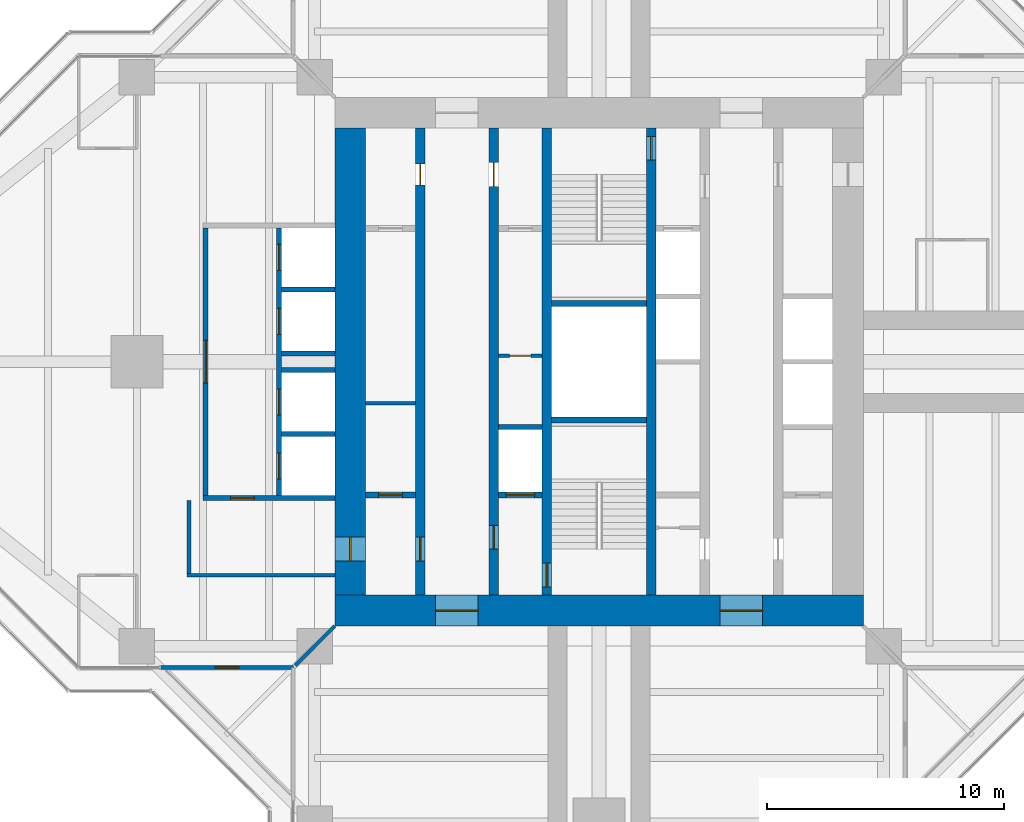
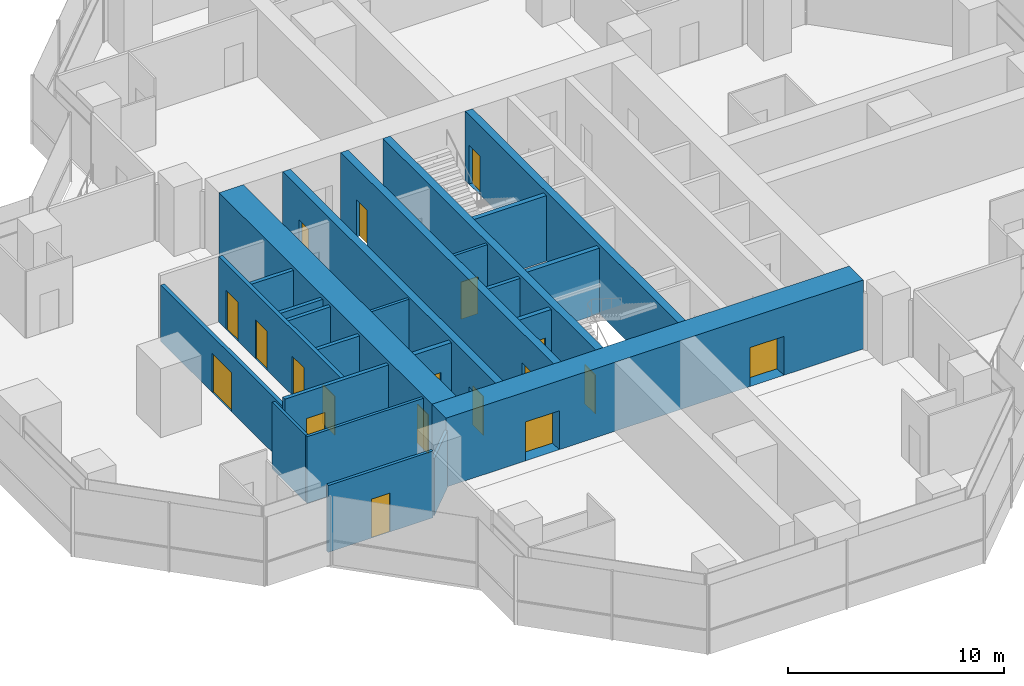
# One storey, part 13 of 17: 24 walls, 19 doors, 19 openings.
"""IFC4 building model written with IfcOpenShell, lengths in metres."""

import ifcopenshell
import ifcopenshell.guid

model = None  # the IFC model being written
_history = None  # IfcOwnerHistory: only IFC2X3 demands one
_inside = {}  # id of a spatial element -> (the spatial element, [elements in it])
_under = {}  # id of a project, library or spatial element -> (it, [spatial elements below it])
_declared = {}  # id of a project -> (the project, [libraries it declares])
_typed = {}  # id of a type object -> (the type object, [elements of that type])
_made_of = {}  # id of a material, layer set ... -> (it, [elements and type objects made of it])


def new_model(schema):
    """Start an empty IFC model of exactly this schema.

    Asked for "IFC4X3", IfcOpenShell would pick the latest addendum, in which some entities
    have other attributes; the version numbers below select the first issue.
    IFC2X3 requires an IfcOwnerHistory on every rooted entity: one is made here for all.
    """
    global model, _history
    if schema == "IFC4X3":
        model = ifcopenshell.file(schema_version=(4, 3, 0, 0))
    else:
        model = ifcopenshell.file(schema=schema)
    _inside.clear()
    _under.clear()
    _declared.clear()
    _typed.clear()
    _made_of.clear()
    _history = None
    if model.schema == "IFC2X3":
        org = make("IfcOrganization", Name="unknown")
        user = make(
            "IfcPersonAndOrganization",
            ThePerson=make("IfcPerson", FamilyName="unknown"),
            TheOrganization=org,
        )
        app = make(
            "IfcApplication",
            ApplicationDeveloper=org,
            Version="unknown",
            ApplicationFullName="unknown",
            ApplicationIdentifier="unknown",
        )
        _history = make(
            "IfcOwnerHistory",
            OwningUser=user,
            OwningApplication=app,
            ChangeAction="ADDED",
            CreationDate=0,
        )
    return model


def make(cls, **values):
    """One entity of the class cls with the attributes given. An attribute that is None is left unset."""
    return model.create_entity(
        cls, **{name: value for name, value in values.items() if value is not None}
    )


def rooted(cls, **values):
    """An entity with a GlobalId (a new one), such as an element, a storey or a relation."""
    return make(cls, GlobalId=ifcopenshell.guid.new(), OwnerHistory=_history, **values)


def si_unit(unit_type, name, prefix=None):
    """IfcSIUnit, for example si_unit("LENGTHUNIT", "METRE", prefix="MILLI")."""
    return make("IfcSIUnit", UnitType=unit_type, Prefix=prefix, Name=name)


def assignment(units):
    """IfcUnitAssignment: the units of a project."""
    return None if units is None else make("IfcUnitAssignment", Units=units)


def point(xyz):
    """IfcCartesianPoint."""
    return None if xyz is None else make("IfcCartesianPoint", Coordinates=xyz)


def direction(xyz):
    """IfcDirection."""
    return None if xyz is None else make("IfcDirection", DirectionRatios=xyz)


def frame(location, z_axis=None, x_axis=None):
    """IfcAxis2Placement3D, a coordinate frame: its origin and axes. An axis left out is left unset."""
    return make(
        "IfcAxis2Placement3D",
        Location=point(location),
        Axis=direction(z_axis),
        RefDirection=direction(x_axis),
    )


def frame_2d(location, x_axis=None):
    """IfcAxis2Placement2D, a coordinate frame in the plane: its origin and x axis."""
    return make(
        "IfcAxis2Placement2D", Location=point(location), RefDirection=direction(x_axis)
    )


def origin():
    """The frame at (0, 0, 0) with its axes left unset."""
    return frame((0.0, 0.0, 0.0))


def place(relative_to, where):
    """IfcLocalPlacement: puts the frame where relative to a parent placement (None: the world)."""
    return make(
        "IfcLocalPlacement", PlacementRelTo=relative_to, RelativePlacement=where
    )


def context(
    kind, dimensions, precision=None, world=None, true_north=None, identifier=None
):
    """IfcGeometricRepresentationContext, for example the 3D "Model" context."""
    return make(
        "IfcGeometricRepresentationContext",
        ContextIdentifier=identifier,
        ContextType=kind,
        CoordinateSpaceDimension=dimensions,
        Precision=precision,
        WorldCoordinateSystem=world,
        TrueNorth=true_north,
    )


def subcontext(parent, identifier, kind, view, scale=None):
    """IfcGeometricRepresentationSubContext, for example "Body" below "Model"."""
    return make(
        "IfcGeometricRepresentationSubContext",
        ContextIdentifier=identifier,
        ContextType=kind,
        ParentContext=parent,
        TargetScale=scale,
        TargetView=view,
    )


def project(units=None, contexts=None):
    """IfcProject with its units and contexts."""
    return rooted(
        "IfcProject",
        Name="project",
        RepresentationContexts=contexts,
        UnitsInContext=assignment(units),
    )


def spatial(cls, under=None, at=None, **own):
    """A site, building, storey or space (cls), placed at a placement, below another one or the project."""
    s = rooted(cls, ObjectPlacement=at, **own)
    if under is not None:
        _under.setdefault(under.id(), (under, []))[1].append(s)
    return s


def profile(cls, at=None, kind="AREA", **sizes):
    """A parametric profile (cls). Its sizes go by their IFC names, for example OverallWidth=200.0."""
    return make(cls, ProfileType=kind, Position=at, **sizes)


def rectangle(**sizes):
    """IfcRectangleProfileDef."""
    return profile("IfcRectangleProfileDef", **sizes)


def extrude(swept, where, along, depth):
    """IfcExtrudedAreaSolid: the profile swept, set in the frame where, extruded along a direction by depth."""
    return make(
        "IfcExtrudedAreaSolid",
        SweptArea=swept,
        Position=where,
        ExtrudedDirection=direction(along),
        Depth=depth,
    )


def shape(context_of_items, identifier, shape_type, items):
    """IfcShapeRepresentation: the items that make up one representation, for example the "Body"."""
    return make(
        "IfcShapeRepresentation",
        ContextOfItems=context_of_items,
        RepresentationIdentifier=identifier,
        RepresentationType=shape_type,
        Items=items,
    )


def material(Name=None, Category=None):
    """IfcMaterial."""
    return make("IfcMaterial", Name=Name, Category=Category)


def layer(
    of_material, thickness, ventilated=None, Name=None, Category=None, Priority=None
):
    """IfcMaterialLayer: one layer of a wall or slab, of a material (None: an air gap)."""
    return make(
        "IfcMaterialLayer",
        Material=of_material,
        LayerThickness=thickness,
        IsVentilated=ventilated,
        Name=Name,
        Category=Category,
        Priority=Priority,
    )


def layer_set(layers, Name=None):
    """IfcMaterialLayerSet."""
    return make("IfcMaterialLayerSet", MaterialLayers=layers, LayerSetName=Name)


def made_of(thing, what):
    """Note that an element or type object is made of a material, layer set ...; save() writes the relation."""
    if what is not None:
        _made_of.setdefault(what.id(), (what, []))[1].append(thing)
    return thing


def type_object(cls, material=None, **own):
    """A type object (cls), such as IfcWallType, which elements share."""
    return made_of(rooted(cls, **own), material)


def element(
    cls,
    number,
    at=None,
    inside=None,
    cuts=None,
    type_object=None,
    material=None,
    context=None,
    identifier="Body",
    shape_type=None,
    held_by="IfcProductDefinitionShape",
    body=None,
    shapes=None,
    **own,
):
    """One element of the class cls, such as IfcWall. Its Tag is "e" and its number.

    at: its placement. inside: the storey or other place that contains it. cuts: it is an
    opening in that element (IfcRelVoidsElement). A single representation is given by context,
    identifier, shape_type and body (its items); several are given by shapes. held_by: the class
    of the entity that holds the representations. save() writes the other relations.
    """
    e = rooted(cls, Tag="e%d" % number, ObjectPlacement=at, **own)
    if body is not None:
        shapes = [shape(context, identifier, shape_type, body)]
    if shapes is not None:
        e.Representation = make(held_by, Representations=shapes)
    if inside is not None:
        _inside.setdefault(inside.id(), (inside, []))[1].append(e)
    if cuts is not None:
        rooted(
            "IfcRelVoidsElement", RelatingBuildingElement=cuts, RelatedOpeningElement=e
        )
    if type_object is not None:
        _typed.setdefault(type_object.id(), (type_object, []))[1].append(e)
    return made_of(e, material)


def fill(opening, filler):
    """IfcRelFillsElement: the door or window that sits in an opening."""
    return rooted(
        "IfcRelFillsElement",
        RelatingOpeningElement=opening,
        RelatedBuildingElement=filler,
    )


def aggregate(whole, parts):
    """IfcRelAggregates: a whole, such as a stair, and the parts it consists of."""
    return rooted("IfcRelAggregates", RelatingObject=whole, RelatedObjects=parts)


def save(model, path):
    """Write the relations noted so far, then the file.

    IfcRelAggregates (storeys below a building ...), IfcRelContainedInSpatialStructure (elements
    in a storey), IfcRelDefinesByType, IfcRelAssociatesMaterial and IfcRelDeclares: one each for
    every whole, place, type object, material and project.
    """
    for whole, parts in _under.values():
        aggregate(whole, parts)
    for where, things in _inside.values():
        rooted(
            "IfcRelContainedInSpatialStructure",
            RelatedElements=things,
            RelatingStructure=where,
        )
    for kind, things in _typed.values():
        rooted("IfcRelDefinesByType", RelatedObjects=things, RelatingType=kind)
    for what, things in _made_of.values():
        rooted("IfcRelAssociatesMaterial", RelatedObjects=things, RelatingMaterial=what)
    for by, libraries in _declared.values():
        rooted("IfcRelDeclares", RelatingContext=by, RelatedDefinitions=libraries)
    model.write(path)


model = new_model("IFC4")

# Units and contexts
model_context = context("Model", 3, precision=1e-05, world=origin(), true_north=direction((0.0, 1.0)))
body_context = subcontext(model_context, "Body", "Model", "MODEL_VIEW")
ifc_project = project(units=[si_unit("LENGTHUNIT", "METRE"), si_unit("AREAUNIT", "SQUARE_METRE"), si_unit("VOLUMEUNIT", "CUBIC_METRE"), si_unit("PLANEANGLEUNIT", "RADIAN"), si_unit("MASSUNIT", "GRAM", prefix="KILO")], contexts=[model_context])

# Site, building, storey
site_placement = place(None, origin())
site = spatial("IfcSite", under=ifc_project, at=site_placement, CompositionType="ELEMENT")
building_placement = place(site_placement, origin())
building = spatial("IfcBuilding", under=site, at=building_placement, Name="Mizan Broadcast Tower", CompositionType="ELEMENT")
storey_placement = place(building_placement, frame((0.0, 0.0, 259.5)))
storey = spatial("IfcBuildingStorey", under=building, at=storey_placement, Name="L61", CompositionType="ELEMENT", Elevation=259.5)

# Wall, openings, doors
ifc_material_1 = material(Name="Concrete C70/85", Category="concrete")
ifc_layer_1 = layer(ifc_material_1, 0.39990234375)
ifc_layer_set_1 = layer_set([ifc_layer_1], Name="Concrete C70/85")
wall_type_1 = type_object("IfcWallType", Name="CORE INTERNAL WALL 400", PredefinedType="SHEAR", material=ifc_layer_set_1)
wall_1_placement = place(storey_placement, frame((-7.550048828125, -9.85009765625, 0.0), z_axis=(0.0, 0.0, 1.0), x_axis=(0.0, 1.0, 0.0)))
wall_1 = element("IfcWall", 1, at=wall_1_placement, inside=storey, type_object=wall_type_1, Name="Core wall CORE/XW1", PredefinedType="SHEAR", context=body_context, shape_type="SweptSolid", body=[
    extrude(rectangle(XDim=19.7001953125, YDim=0.39990234375, at=frame_2d((9.85009765625, 0.0))), origin(), (0.0, 0.0, 1.0), 3.89990234375),
])
opening_1_placement = place(wall_1_placement, frame((1.449951171875, 0.0, 0.0)))
opening_1 = element("IfcOpeningElement", 2, at=opening_1_placement, cuts=wall_1, Name="Opening D10F", PredefinedType="OPENING", context=body_context, shape_type="SweptSolid", body=[
    extrude(rectangle(XDim=1.0, YDim=2.199951171875, at=frame_2d((0.5, 1.10009765625))), frame((0.0, 0.2099609375, 0.0), z_axis=(0.0, -1.0, 0.0), x_axis=(1.0, 0.0, 0.0)), (0.0, 0.0, 1.0), 0.419921875),
])
opening_2_placement = place(wall_1_placement, frame((17.300048828125, 0.0, 0.0)))
opening_2 = element("IfcOpeningElement", 3, at=opening_2_placement, cuts=wall_1, Name="Opening D09", PredefinedType="OPENING", context=body_context, shape_type="SweptSolid", body=[
    extrude(rectangle(XDim=0.89990234375, YDim=2.10009765625, at=frame_2d((0.449951171875, 1.050048828125))), frame((0.0, 0.2099609375, 0.0), z_axis=(0.0, -1.0, 0.0), x_axis=(1.0, 0.0, 0.0)), (0.0, 0.0, 1.0), 0.419921875),
])
ifc_material_2 = material(Name="Steel door leaf in steel frame", Category="steel")
door_type_1 = type_object("IfcDoorType", Name="FIRE DOOR 1000 FD90", OperationType="SINGLE_SWING_LEFT", PredefinedType="DOOR", material=ifc_material_2)
door_1_placement = place(opening_1_placement, origin())
door_1 = element("IfcDoor", 4, at=door_1_placement, inside=storey, type_object=door_type_1, Name="West core passage door", OperationType="SINGLE_SWING_LEFT", OverallHeight=2.199951171875, OverallWidth=1.0, PredefinedType="DOOR", context=body_context, shape_type="SweptSolid", body=[
    extrude(rectangle(XDim=1.0, YDim=2.199951171875, at=frame_2d((0.5, 1.10009765625))), frame((0.0, 0.02490234375, 0.0), z_axis=(0.0, -1.0, 0.0), x_axis=(1.0, 0.0, 0.0)), (0.0, 0.0, 1.0), 0.050048828125),
])
fill(opening_1, door_1)
ifc_material_3 = material(Name="Timber door leaf in aluminium frame", Category="wood")
door_type_2 = type_object("IfcDoorType", Name="TOILET DOOR 900", OperationType="SINGLE_SWING_LEFT", PredefinedType="DOOR", material=ifc_material_3)
door_2_placement = place(opening_2_placement, origin())
door_2 = element("IfcDoor", 5, at=door_2_placement, inside=storey, type_object=door_type_2, Name="Male WC door", OperationType="SINGLE_SWING_RIGHT", OverallHeight=2.10009765625, OverallWidth=0.89990234375, PredefinedType="DOOR", context=body_context, shape_type="SweptSolid", body=[
    extrude(rectangle(XDim=0.89990234375, YDim=2.10009765625, at=frame_2d((0.449951171875, 1.050048828125))), frame((0.0, 0.02490234375, 0.0), z_axis=(0.0, -1.0, 0.0), x_axis=(1.0, 0.0, 0.0)), (0.0, 0.0, 1.0), 0.050048828125),
])
fill(opening_2, door_2)

wall_2_placement = place(storey_placement, frame((-4.449951171875, -9.85009765625, 0.0), z_axis=(0.0, 0.0, 1.0), x_axis=(0.0, 1.0, 0.0)))
wall_2 = element("IfcWall", 6, at=wall_2_placement, inside=storey, type_object=wall_type_1, Name="Core wall CORE/XWH", PredefinedType="SHEAR", context=body_context, shape_type="SweptSolid", body=[
    extrude(rectangle(XDim=19.7001953125, YDim=0.39990234375, at=frame_2d((9.85009765625, 0.0))), origin(), (0.0, 0.0, 1.0), 3.89990234375),
])
opening_3_placement = place(wall_2_placement, frame((1.949951171875, 0.0, 0.0)))
opening_3 = element("IfcOpeningElement", 7, at=opening_3_placement, cuts=wall_2, Name="Opening D10F", PredefinedType="OPENING", context=body_context, shape_type="SweptSolid", body=[
    extrude(rectangle(XDim=1.0, YDim=2.199951171875, at=frame_2d((0.5, 1.10009765625))), frame((0.0, 0.2099609375, 0.0), z_axis=(0.0, -1.0, 0.0), x_axis=(1.0, 0.0, 0.0)), (0.0, 0.0, 1.0), 0.419921875),
])
opening_4_placement = place(wall_2_placement, frame((17.25, 0.0, 0.0)))
opening_4 = element("IfcOpeningElement", 8, at=opening_4_placement, cuts=wall_2, Name="Opening D10A", PredefinedType="OPENING", context=body_context, shape_type="SweptSolid", body=[
    extrude(rectangle(XDim=1.0, YDim=2.10009765625, at=frame_2d((0.5, 1.050048828125))), frame((0.0, 0.2099609375, 0.0), z_axis=(0.0, -1.0, 0.0), x_axis=(1.0, 0.0, 0.0)), (0.0, 0.0, 1.0), 0.419921875),
])
ifc_material_4 = material(Name="Timber door leaf in aluminium frame", Category="wood")
door_type_3 = type_object("IfcDoorType", Name="ACCESSIBLE WC DOOR 1000", OperationType="SLIDING_TO_LEFT", PredefinedType="DOOR", material=ifc_material_4)
door_3_placement = place(opening_4_placement, origin())
door_3 = element("IfcDoor", 9, at=door_3_placement, inside=storey, type_object=door_type_3, Name="Accessible WC door", OperationType="SLIDING_TO_LEFT", OverallHeight=2.10009765625, OverallWidth=1.0, PredefinedType="DOOR", context=body_context, shape_type="SweptSolid", body=[
    extrude(rectangle(XDim=1.0, YDim=2.10009765625, at=frame_2d((0.5, 1.050048828125))), frame((0.0, 0.02490234375, 0.0), z_axis=(0.0, -1.0, 0.0), x_axis=(1.0, 0.0, 0.0)), (0.0, 0.0, 1.0), 0.050048828125),
])
fill(opening_4, door_3)
door_4_placement = place(opening_3_placement, origin())
door_4 = element("IfcDoor", 10, at=door_4_placement, inside=storey, type_object=door_type_1, Name="Firefighting lobby A door", OperationType="SINGLE_SWING_LEFT", OverallHeight=2.199951171875, OverallWidth=1.0, PredefinedType="DOOR", context=body_context, shape_type="SweptSolid", body=[
    extrude(rectangle(XDim=1.0, YDim=2.199951171875, at=frame_2d((0.5, 1.10009765625))), frame((0.0, 0.02490234375, 0.0), z_axis=(0.0, -1.0, 0.0), x_axis=(1.0, 0.0, 0.0)), (0.0, 0.0, 1.0), 0.050048828125),
])
fill(opening_3, door_4)

# Wall, opening, door
wall_3_placement = place(storey_placement, frame((-2.199951171875, -9.85009765625, 0.0), z_axis=(0.0, 0.0, 1.0), x_axis=(0.0, 1.0, 0.0)))
wall_3 = element("IfcWall", 11, at=wall_3_placement, inside=storey, type_object=wall_type_1, Name="Core wall CORE/XW2", PredefinedType="SHEAR", context=body_context, shape_type="SweptSolid", body=[
    extrude(rectangle(XDim=19.7001953125, YDim=0.39990234375, at=frame_2d((9.85009765625, 0.0))), origin(), (0.0, 0.0, 1.0), 3.89990234375),
])
opening_5_placement = place(wall_3_placement, frame((0.35009765625, 0.0, 0.0)))
opening_5 = element("IfcOpeningElement", 12, at=opening_5_placement, cuts=wall_3, Name="Opening D10S", PredefinedType="OPENING", context=body_context, shape_type="SweptSolid", body=[
    extrude(rectangle(XDim=1.0, YDim=2.199951171875, at=frame_2d((0.5, 1.10009765625))), frame((0.0, 0.2099609375, 0.0), z_axis=(0.0, -1.0, 0.0), x_axis=(1.0, 0.0, 0.0)), (0.0, 0.0, 1.0), 0.419921875),
])
ifc_material_5 = material(Name="Steel door leaf in steel frame", Category="steel")
door_type_4 = type_object("IfcDoorType", Name="STAIR DOOR 1000 FD90S", OperationType="SINGLE_SWING_RIGHT", PredefinedType="DOOR", material=ifc_material_5)
door_5_placement = place(opening_5_placement, origin())
door_5 = element("IfcDoor", 13, at=door_5_placement, inside=storey, type_object=door_type_4, Name="Stair A door", OperationType="SINGLE_SWING_RIGHT", OverallHeight=2.199951171875, OverallWidth=1.0, PredefinedType="DOOR", context=body_context, shape_type="SweptSolid", body=[
    extrude(rectangle(XDim=1.0, YDim=2.199951171875, at=frame_2d((0.5, 1.10009765625))), frame((0.0, 0.02490234375, 0.0), z_axis=(0.0, -1.0, 0.0), x_axis=(1.0, 0.0, 0.0)), (0.0, 0.0, 1.0), 0.050048828125),
])
fill(opening_5, door_5)

wall_4_placement = place(storey_placement, frame((2.199951171875, 9.85009765625, 0.0), z_axis=(0.0, 0.0, 1.0), x_axis=(0.0, -1.0, 0.0)))
wall_4 = element("IfcWall", 14, at=wall_4_placement, inside=storey, type_object=wall_type_1, Name="Core wall CORE/XW2E", PredefinedType="SHEAR", context=body_context, shape_type="SweptSolid", body=[
    extrude(rectangle(XDim=19.7001953125, YDim=0.39990234375, at=frame_2d((9.85009765625, 0.0))), origin(), (0.0, 0.0, 1.0), 3.89990234375),
])
opening_6_placement = place(wall_4_placement, frame((0.35009765625, 0.0, 0.0)))
opening_6 = element("IfcOpeningElement", 15, at=opening_6_placement, cuts=wall_4, Name="Opening D10S", PredefinedType="OPENING", context=body_context, shape_type="SweptSolid", body=[
    extrude(rectangle(XDim=1.0, YDim=2.199951171875, at=frame_2d((0.5, 1.10009765625))), frame((0.0, 0.2099609375, 0.0), z_axis=(0.0, -1.0, 0.0), x_axis=(1.0, 0.0, 0.0)), (0.0, 0.0, 1.0), 0.419921875),
])
door_6_placement = place(opening_6_placement, origin())
door_6 = element("IfcDoor", 16, at=door_6_placement, inside=storey, type_object=door_type_4, Name="Stair B door", OperationType="SINGLE_SWING_RIGHT", OverallHeight=2.199951171875, OverallWidth=1.0, PredefinedType="DOOR", context=body_context, shape_type="SweptSolid", body=[
    extrude(rectangle(XDim=1.0, YDim=2.199951171875, at=frame_2d((0.5, 1.10009765625))), frame((0.0, 0.02490234375, 0.0), z_axis=(0.0, -1.0, 0.0), x_axis=(1.0, 0.0, 0.0)), (0.0, 0.0, 1.0), 0.050048828125),
])
fill(opening_6, door_6)

# Wall
ifc_material_6 = material(Name="Concrete blockwork", Category="masonry")
ifc_layer_2 = layer(ifc_material_6, 0.14990234375)
ifc_layer_set_2 = layer_set([ifc_layer_2], Name="Concrete blockwork")
wall_type_2 = type_object("IfcWallType", Name="CORE PARTITION 150", PredefinedType="SOLIDWALL", material=ifc_layer_set_2)
wall_5_placement = place(storey_placement, frame((-9.85009765625, -1.75, 0.0), z_axis=(0.0, 0.0, 1.0), x_axis=(1.0, 0.0, 0.0)))
element("IfcWall", 17, at=wall_5_placement, inside=storey, type_object=wall_type_2, Name="Core partition CORE/XP1", PredefinedType="SOLIDWALL", context=body_context, shape_type="SweptSolid", body=[
    extrude(rectangle(XDim=2.10009765625, YDim=0.14990234375, at=frame_2d((1.050048828125, 0.0))), origin(), (0.0, 0.0, 1.0), 3.77001953125),
])

# Wall, opening, door
wall_6_placement = place(storey_placement, frame((-4.25, 0.25, 0.0), z_axis=(0.0, 0.0, 1.0), x_axis=(1.0, 0.0, 0.0)))
wall_6 = element("IfcWall", 18, at=wall_6_placement, inside=storey, type_object=wall_type_2, Name="Core partition CORE/XP2", PredefinedType="SOLIDWALL", context=body_context, shape_type="SweptSolid", body=[
    extrude(rectangle(XDim=1.85009765625, YDim=0.14990234375, at=frame_2d((0.925048828125, 0.0))), origin(), (0.0, 0.0, 1.0), 3.77001953125),
])
opening_7_placement = place(wall_6_placement, frame((0.47509765625, 0.0, 0.0)))
opening_7 = element("IfcOpeningElement", 19, at=opening_7_placement, cuts=wall_6, Name="Opening D09F", PredefinedType="OPENING", context=body_context, shape_type="SweptSolid", body=[
    extrude(rectangle(XDim=0.89990234375, YDim=2.10009765625, at=frame_2d((0.449951171875, 1.050048828125))), frame((0.0, 0.0849609375, 0.0), z_axis=(0.0, -1.0, 0.0), x_axis=(1.0, 0.0, 0.0)), (0.0, 0.0, 1.0), 0.169921875),
])
ifc_material_7 = material(Name="Steel door leaf in steel frame", Category="steel")
door_type_5 = type_object("IfcDoorType", Name="CORE ROOM DOOR 900 FD90", OperationType="SINGLE_SWING_LEFT", PredefinedType="DOOR", material=ifc_material_7)
door_7_placement = place(opening_7_placement, origin())
door_7 = element("IfcDoor", 20, at=door_7_placement, inside=storey, type_object=door_type_5, Name="Accessible changing room door", OperationType="SINGLE_SWING_RIGHT", OverallHeight=2.10009765625, OverallWidth=0.89990234375, PredefinedType="DOOR", context=body_context, shape_type="SweptSolid", body=[
    extrude(rectangle(XDim=0.89990234375, YDim=2.10009765625, at=frame_2d((0.449951171875, 1.050048828125))), frame((0.0, 0.02490234375, 0.0), z_axis=(0.0, -1.0, 0.0), x_axis=(1.0, 0.0, 0.0)), (0.0, 0.0, 1.0), 0.050048828125),
])
fill(opening_7, door_7)

# Wall, openings, doors
ifc_material_8 = material(Name="Concrete C70/85", Category="concrete")
ifc_layer_3 = layer(ifc_material_8, 1.300048828125)
ifc_layer_set_3 = layer_set([ifc_layer_3], Name="Concrete C70/85")
wall_type_3 = type_object("IfcWallType", Name="CORE WALL 1300", PredefinedType="SHEAR", material=ifc_layer_set_3)
wall_7_placement = place(storey_placement, frame((11.14990234375, -10.5, 0.0), z_axis=(0.0, 0.0, 1.0), x_axis=(-1.0, 0.0, 0.0)))
wall_7 = element("IfcWall", 21, at=wall_7_placement, inside=storey, type_object=wall_type_3, Name="Core wall S L61", PredefinedType="SHEAR", context=body_context, shape_type="SweptSolid", body=[
    extrude(rectangle(XDim=22.2998046875, YDim=1.300048828125, at=frame_2d((11.14990234375, 0.0))), origin(), (0.0, 0.0, 1.0), 3.89990234375),
])
opening_8_placement = place(wall_7_placement, frame((16.25, 0.0, 0.0)))
opening_8 = element("IfcOpeningElement", 22, at=opening_8_placement, cuts=wall_7, Name="Opening D18F", PredefinedType="OPENING", context=body_context, shape_type="SweptSolid", body=[
    extrude(rectangle(XDim=1.800048828125, YDim=2.199951171875, at=frame_2d((0.89990234375, 1.10009765625))), frame((0.0, 0.659912109375, 0.0), z_axis=(0.0, -1.0, 0.0), x_axis=(1.0, 0.0, 0.0)), (0.0, 0.0, 1.0), 1.320068359375),
])
opening_9_placement = place(wall_7_placement, frame((4.25, 0.0, 0.0)))
opening_9 = element("IfcOpeningElement", 23, at=opening_9_placement, cuts=wall_7, Name="Opening D18F", PredefinedType="OPENING", context=body_context, shape_type="SweptSolid", body=[
    extrude(rectangle(XDim=1.800048828125, YDim=2.199951171875, at=frame_2d((0.89990234375, 1.10009765625))), frame((0.0, 0.659912109375, 0.0), z_axis=(0.0, -1.0, 0.0), x_axis=(1.0, 0.0, 0.0)), (0.0, 0.0, 1.0), 1.320068359375),
])
ifc_material_9 = material(Name="Steel door leaf in steel frame", Category="steel")
door_type_6 = type_object("IfcDoorType", Name="LOBBY DOUBLE DOOR 1800 FD90", OperationType="DOUBLE_DOOR_DOUBLE_SWING", PredefinedType="DOOR", material=ifc_material_9)
door_8_placement = place(opening_8_placement, origin())
door_8 = element("IfcDoor", 24, at=door_8_placement, inside=storey, type_object=door_type_6, Name="West lift lobby south door", OperationType="DOUBLE_DOOR_DOUBLE_SWING", OverallHeight=2.199951171875, OverallWidth=1.800048828125, PredefinedType="DOOR", context=body_context, shape_type="SweptSolid", body=[
    extrude(rectangle(XDim=1.800048828125, YDim=2.199951171875, at=frame_2d((0.89990234375, 1.10009765625))), frame((0.0, 0.02490234375, 0.0), z_axis=(0.0, -1.0, 0.0), x_axis=(1.0, 0.0, 0.0)), (0.0, 0.0, 1.0), 0.050048828125),
])
fill(opening_8, door_8)
door_9_placement = place(opening_9_placement, origin())
door_9 = element("IfcDoor", 25, at=door_9_placement, inside=storey, type_object=door_type_6, Name="East lift lobby south door", OperationType="DOUBLE_DOOR_DOUBLE_SWING", OverallHeight=2.199951171875, OverallWidth=1.800048828125, PredefinedType="DOOR", context=body_context, shape_type="SweptSolid", body=[
    extrude(rectangle(XDim=1.800048828125, YDim=2.199951171875, at=frame_2d((0.89990234375, 1.10009765625))), frame((0.0, 0.02490234375, 0.0), z_axis=(0.0, -1.0, 0.0), x_axis=(1.0, 0.0, 0.0)), (0.0, 0.0, 1.0), 0.050048828125),
])
fill(opening_9, door_9)

# Wall, opening, door
wall_8_placement = place(storey_placement, frame((-10.5, 9.85009765625, 0.0), z_axis=(0.0, 0.0, 1.0), x_axis=(0.0, -1.0, 0.0)))
wall_8 = element("IfcWall", 26, at=wall_8_placement, inside=storey, type_object=wall_type_3, Name="Core wall W L61", PredefinedType="SHEAR", context=body_context, shape_type="SweptSolid", body=[
    extrude(rectangle(XDim=19.7001953125, YDim=1.300048828125, at=frame_2d((9.85009765625, 0.0))), origin(), (0.0, 0.0, 1.0), 3.89990234375),
])
opening_10_placement = place(wall_8_placement, frame((17.25, 0.0, 0.0)))
opening_10 = element("IfcOpeningElement", 27, at=opening_10_placement, cuts=wall_8, Name="Opening D10F", PredefinedType="OPENING", context=body_context, shape_type="SweptSolid", body=[
    extrude(rectangle(XDim=1.0, YDim=2.199951171875, at=frame_2d((0.5, 1.10009765625))), frame((0.0, 0.659912109375, 0.0), z_axis=(0.0, -1.0, 0.0), x_axis=(1.0, 0.0, 0.0)), (0.0, 0.0, 1.0), 1.320068359375),
])
door_10_placement = place(opening_10_placement, origin())
door_10 = element("IfcDoor", 28, at=door_10_placement, inside=storey, type_object=door_type_1, Name="West core passage arm door", OperationType="SINGLE_SWING_RIGHT", OverallHeight=2.199951171875, OverallWidth=1.0, PredefinedType="DOOR", context=body_context, shape_type="SweptSolid", body=[
    extrude(rectangle(XDim=1.0, YDim=2.199951171875, at=frame_2d((0.5, 1.10009765625))), frame((0.0, 0.02490234375, 0.0), z_axis=(0.0, -1.0, 0.0), x_axis=(1.0, 0.0, 0.0)), (0.0, 0.0, 1.0), 0.050048828125),
])
fill(opening_10, door_10)

ifc_material_10 = material(Name="Aluminium framed glazed screen", Category="aluminium")
ifc_layer_4 = layer(ifc_material_10, 0.159912109375)
ifc_layer_set_4 = layer_set([ifc_layer_4], Name="Aluminium framed glazed screen")
wall_type_4 = type_object("IfcWallType", Name="GLAZED SCREEN WALL 160", PredefinedType="SOLIDWALL", material=ifc_layer_set_4)
wall_9_placement = place(storey_placement, frame((-18.5, -12.89990234375, 0.0), z_axis=(0.0, 0.0, 1.0), x_axis=(1.0, 0.0, 0.0)))
wall_9 = element("IfcWall", 29, at=wall_9_placement, inside=storey, type_object=wall_type_4, Name="Winter garden screen L61 W", PredefinedType="SOLIDWALL", context=body_context, shape_type="SweptSolid", body=[
    extrude(rectangle(XDim=5.60009765625, YDim=0.159912109375, at=frame_2d((2.800048828125, 0.0))), origin(), (0.0, 0.0, 1.0), 3.77001953125),
])
opening_11_placement = place(wall_9_placement, frame((2.300048828125, 0.0, 0.0)))
opening_11 = element("IfcOpeningElement", 30, at=opening_11_placement, cuts=wall_9, Name="Opening WGD", PredefinedType="OPENING", context=body_context, shape_type="SweptSolid", body=[
    extrude(rectangle(XDim=1.0, YDim=2.199951171875, at=frame_2d((0.5, 1.10009765625))), frame((0.0, 0.08984375, 0.0), z_axis=(0.0, -1.0, 0.0), x_axis=(1.0, 0.0, 0.0)), (0.0, 0.0, 1.0), 0.179931640625),
])
ifc_material_11 = material(Name="Aluminium framed glazed door", Category="aluminium")
door_type_7 = type_object("IfcDoorType", Name="WINTER GARDEN DOOR 1000 GLAZED", OperationType="SINGLE_SWING_LEFT", PredefinedType="DOOR", material=ifc_material_11)
door_11_placement = place(opening_11_placement, origin())
door_11 = element("IfcDoor", 31, at=door_11_placement, inside=storey, type_object=door_type_7, Name="Winter garden door L61 W", OperationType="SINGLE_SWING_RIGHT", OverallHeight=2.199951171875, OverallWidth=1.0, PredefinedType="DOOR", context=body_context, shape_type="SweptSolid", body=[
    extrude(rectangle(XDim=1.0, YDim=2.199951171875, at=frame_2d((0.5, 1.10009765625))), frame((0.0, 0.02490234375, 0.0), z_axis=(0.0, -1.0, 0.0), x_axis=(1.0, 0.0, 0.0)), (0.0, 0.0, 1.0), 0.050048828125),
])
fill(opening_11, door_11)

# Wall
ifc_material_12 = material(Name="Concrete blockwork", Category="masonry")
ifc_layer_5 = layer(ifc_material_12, 0.199951171875)
ifc_layer_set_5 = layer_set([ifc_layer_5], Name="Concrete blockwork")
wall_type_5 = type_object("IfcWallType", Name="LIFT SHAFT WALL 200", PredefinedType="SOLIDWALL", material=ifc_layer_set_5)
wall_10_placement = place(storey_placement, frame((-4.25, -2.75, 0.0), z_axis=(0.0, 0.0, 1.0), x_axis=(1.0, 0.0, 0.0)))
element("IfcWall", 32, at=wall_10_placement, inside=storey, type_object=wall_type_5, Name="Lift shaft wall CORE/SW2-1", PredefinedType="SOLIDWALL", context=body_context, shape_type="SweptSolid", body=[
    extrude(rectangle(XDim=1.85009765625, YDim=0.199951171875, at=frame_2d((0.925048828125, 0.0))), origin(), (0.0, 0.0, 1.0), 3.699951171875),
])

# Wall, openings, doors
wall_11_placement = place(storey_placement, frame((-13.5, 5.64990234375, 0.0), z_axis=(0.0, 0.0, 1.0), x_axis=(0.0, -1.0, 0.0)))
wall_11 = element("IfcWall", 33, at=wall_11_placement, inside=storey, type_object=wall_type_5, Name="Lift shaft wall LC/F", PredefinedType="SOLIDWALL", context=body_context, shape_type="SweptSolid", body=[
    extrude(rectangle(XDim=11.2998046875, YDim=0.199951171875, at=frame_2d((5.64990234375, 0.0))), origin(), (0.0, 0.0, 1.0), 3.699951171875),
])
opening_12_placement = place(wall_11_placement, frame((0.699951171875, 0.0, 0.0)))
opening_12 = element("IfcOpeningElement", 34, at=opening_12_placement, cuts=wall_11, Name="Opening LD", PredefinedType="OPENING", context=body_context, shape_type="SweptSolid", body=[
    extrude(rectangle(XDim=1.10009765625, YDim=2.199951171875, at=frame_2d((0.550048828125, 1.10009765625))), frame((0.0, 0.10986328125, 0.0), z_axis=(0.0, -1.0, 0.0), x_axis=(1.0, 0.0, 0.0)), (0.0, 0.0, 1.0), 0.219970703125),
])
opening_13_placement = place(wall_11_placement, frame((3.39990234375, 0.0, 0.0)))
opening_13 = element("IfcOpeningElement", 35, at=opening_13_placement, cuts=wall_11, Name="Opening LD", PredefinedType="OPENING", context=body_context, shape_type="SweptSolid", body=[
    extrude(rectangle(XDim=1.10009765625, YDim=2.199951171875, at=frame_2d((0.550048828125, 1.10009765625))), frame((0.0, 0.10986328125, 0.0), z_axis=(0.0, -1.0, 0.0), x_axis=(1.0, 0.0, 0.0)), (0.0, 0.0, 1.0), 0.219970703125),
])
opening_14_placement = place(wall_11_placement, frame((6.800048828125, 0.0, 0.0)))
opening_14 = element("IfcOpeningElement", 36, at=opening_14_placement, cuts=wall_11, Name="Opening LD", PredefinedType="OPENING", context=body_context, shape_type="SweptSolid", body=[
    extrude(rectangle(XDim=1.10009765625, YDim=2.199951171875, at=frame_2d((0.550048828125, 1.10009765625))), frame((0.0, 0.10986328125, 0.0), z_axis=(0.0, -1.0, 0.0), x_axis=(1.0, 0.0, 0.0)), (0.0, 0.0, 1.0), 0.219970703125),
])
opening_15_placement = place(wall_11_placement, frame((9.5, 0.0, 0.0)))
opening_15 = element("IfcOpeningElement", 37, at=opening_15_placement, cuts=wall_11, Name="Opening LD", PredefinedType="OPENING", context=body_context, shape_type="SweptSolid", body=[
    extrude(rectangle(XDim=1.10009765625, YDim=2.199951171875, at=frame_2d((0.550048828125, 1.10009765625))), frame((0.0, 0.10986328125, 0.0), z_axis=(0.0, -1.0, 0.0), x_axis=(1.0, 0.0, 0.0)), (0.0, 0.0, 1.0), 0.219970703125),
])
ifc_material_13 = material(Name="Steel door leaf in steel frame", Category="steel")
door_type_8 = type_object("IfcDoorType", Name="LIFT LANDING DOOR 1100", OperationType="SLIDING_TO_LEFT", PredefinedType="DOOR", material=ifc_material_13)
door_12_placement = place(opening_12_placement, origin())
door_12 = element("IfcDoor", 38, at=door_12_placement, inside=storey, type_object=door_type_8, Name="Landing door LC1", OperationType="SLIDING_TO_LEFT", OverallHeight=2.199951171875, OverallWidth=1.10009765625, PredefinedType="DOOR", context=body_context, shape_type="SweptSolid", body=[
    extrude(rectangle(XDim=1.10009765625, YDim=2.199951171875, at=frame_2d((0.550048828125, 1.10009765625))), frame((0.0, 0.02490234375, 0.0), z_axis=(0.0, -1.0, 0.0), x_axis=(1.0, 0.0, 0.0)), (0.0, 0.0, 1.0), 0.050048828125),
])
fill(opening_12, door_12)
door_13_placement = place(opening_13_placement, origin())
door_13 = element("IfcDoor", 39, at=door_13_placement, inside=storey, type_object=door_type_8, Name="Landing door LC2", OperationType="SLIDING_TO_LEFT", OverallHeight=2.199951171875, OverallWidth=1.10009765625, PredefinedType="DOOR", context=body_context, shape_type="SweptSolid", body=[
    extrude(rectangle(XDim=1.10009765625, YDim=2.199951171875, at=frame_2d((0.550048828125, 1.10009765625))), frame((0.0, 0.02490234375, 0.0), z_axis=(0.0, -1.0, 0.0), x_axis=(1.0, 0.0, 0.0)), (0.0, 0.0, 1.0), 0.050048828125),
])
fill(opening_13, door_13)
door_14_placement = place(opening_14_placement, origin())
door_14 = element("IfcDoor", 40, at=door_14_placement, inside=storey, type_object=door_type_8, Name="Landing door LC3", OperationType="SLIDING_TO_LEFT", OverallHeight=2.199951171875, OverallWidth=1.10009765625, PredefinedType="DOOR", context=body_context, shape_type="SweptSolid", body=[
    extrude(rectangle(XDim=1.10009765625, YDim=2.199951171875, at=frame_2d((0.550048828125, 1.10009765625))), frame((0.0, 0.02490234375, 0.0), z_axis=(0.0, -1.0, 0.0), x_axis=(1.0, 0.0, 0.0)), (0.0, 0.0, 1.0), 0.050048828125),
])
fill(opening_14, door_14)
door_15_placement = place(opening_15_placement, origin())
door_15 = element("IfcDoor", 41, at=door_15_placement, inside=storey, type_object=door_type_8, Name="Landing door LC4", OperationType="SLIDING_TO_LEFT", OverallHeight=2.199951171875, OverallWidth=1.10009765625, PredefinedType="DOOR", context=body_context, shape_type="SweptSolid", body=[
    extrude(rectangle(XDim=1.10009765625, YDim=2.199951171875, at=frame_2d((0.550048828125, 1.10009765625))), frame((0.0, 0.02490234375, 0.0), z_axis=(0.0, -1.0, 0.0), x_axis=(1.0, 0.0, 0.0)), (0.0, 0.0, 1.0), 0.050048828125),
])
fill(opening_15, door_15)

# Wall, opening, door
wall_12_placement = place(storey_placement, frame((-11.14990234375, -5.75, 0.0), z_axis=(0.0, 0.0, 1.0), x_axis=(-1.0, 0.0, 0.0)))
wall_12 = element("IfcWall", 42, at=wall_12_placement, inside=storey, type_object=wall_type_5, Name="Lift shaft wall LC/S2", PredefinedType="SOLIDWALL", context=body_context, shape_type="SweptSolid", body=[
    extrude(rectangle(XDim=5.550048828125, YDim=0.199951171875, at=frame_2d((2.77490234375, 0.0))), origin(), (0.0, 0.0, 1.0), 3.699951171875),
])
opening_16_placement = place(wall_12_placement, frame((3.39990234375, 0.0, 0.0)))
opening_16 = element("IfcOpeningElement", 43, at=opening_16_placement, cuts=wall_12, Name="Opening D10F", PredefinedType="OPENING", context=body_context, shape_type="SweptSolid", body=[
    extrude(rectangle(XDim=1.0, YDim=2.199951171875, at=frame_2d((0.5, 1.10009765625))), frame((0.0, 0.10986328125, 0.0), z_axis=(0.0, -1.0, 0.0), x_axis=(1.0, 0.0, 0.0)), (0.0, 0.0, 1.0), 0.219970703125),
])
door_16_placement = place(opening_16_placement, origin())
door_16 = element("IfcDoor", 44, at=door_16_placement, inside=storey, type_object=door_type_1, Name="High-rise lobby corridor door", OperationType="SINGLE_SWING_RIGHT", OverallHeight=2.199951171875, OverallWidth=1.0, PredefinedType="DOOR", context=body_context, shape_type="SweptSolid", body=[
    extrude(rectangle(XDim=1.0, YDim=2.199951171875, at=frame_2d((0.5, 1.10009765625))), frame((0.0, 0.02490234375, 0.0), z_axis=(0.0, -1.0, 0.0), x_axis=(1.0, 0.0, 0.0)), (0.0, 0.0, 1.0), 0.050048828125),
])
fill(opening_16, door_16)

# Walls
for number, where, z_axis, x_axis, name in (
    (45, (-11.14990234375, 3.050048828125, 0.0), (0.0, 0.0, 1.0), (-1.0, 0.0, 0.0), "Lift shaft wall LC/SP1"),
    (46, (-11.14990234375, 0.35009765625, 0.0), (0.0, 0.0, 1.0), (-1.0, 0.0, 0.0), "Lift shaft wall LC/SP2"),
    (47, (-11.14990234375, -0.35009765625, 0.0), (0.0, 0.0, 1.0), (-1.0, 0.0, 0.0), "Lift shaft wall LC/SP3"),
    (48, (-11.14990234375, -3.050048828125, 0.0), (0.0, 0.0, 1.0), (-1.0, 0.0, 0.0), "Lift shaft wall LC/SP4"),
):
    element("IfcWall", number, at=place(storey_placement, frame(where, z_axis=z_axis, x_axis=x_axis)), inside=storey, type_object=wall_type_5, Name=name, PredefinedType="SOLIDWALL", context=body_context, shape_type="SweptSolid", body=[
        extrude(rectangle(XDim=2.25, YDim=0.199951171875, at=frame_2d((1.125, 0.0))), origin(), (0.0, 0.0, 1.0), 3.699951171875),
    ])

# Wall, opening, door
ifc_material_14 = material(Name="Concrete blockwork", Category="masonry")
ifc_layer_6 = layer(ifc_material_14, 0.25)
ifc_layer_set_6 = layer_set([ifc_layer_6], Name="Concrete blockwork")
wall_type_6 = type_object("IfcWallType", Name="LOBBY ENCLOSURE WALL 250", PredefinedType="SOLIDWALL", material=ifc_layer_set_6)
wall_13_placement = place(storey_placement, frame((-9.85009765625, -5.625, 0.0), z_axis=(0.0, 0.0, 1.0), x_axis=(1.0, 0.0, 0.0)))
wall_13 = element("IfcWall", 49, at=wall_13_placement, inside=storey, type_object=wall_type_6, Name="Lobby enclosure wall CORE/BW1S", PredefinedType="SOLIDWALL", context=body_context, shape_type="SweptSolid", body=[
    extrude(rectangle(XDim=2.10009765625, YDim=0.25, at=frame_2d((1.050048828125, 0.0))), origin(), (0.0, 0.0, 1.0), 3.699951171875),
])
opening_17_placement = place(wall_13_placement, frame((0.550048828125, 0.0, 0.0)))
opening_17 = element("IfcOpeningElement", 50, at=opening_17_placement, cuts=wall_13, Name="Opening D10F", PredefinedType="OPENING", context=body_context, shape_type="SweptSolid", body=[
    extrude(rectangle(XDim=1.0, YDim=2.199951171875, at=frame_2d((0.5, 1.10009765625))), frame((0.0, 0.135009765625, 0.0), z_axis=(0.0, -1.0, 0.0), x_axis=(1.0, 0.0, 0.0)), (0.0, 0.0, 1.0), 0.27001953125),
])
door_17_placement = place(opening_17_placement, origin())
door_17 = element("IfcDoor", 51, at=door_17_placement, inside=storey, type_object=door_type_1, Name="Linen store door", OperationType="SINGLE_SWING_RIGHT", OverallHeight=2.199951171875, OverallWidth=1.0, PredefinedType="DOOR", context=body_context, shape_type="SweptSolid", body=[
    extrude(rectangle(XDim=1.0, YDim=2.199951171875, at=frame_2d((0.5, 1.10009765625))), frame((0.0, 0.02490234375, 0.0), z_axis=(0.0, -1.0, 0.0), x_axis=(1.0, 0.0, 0.0)), (0.0, 0.0, 1.0), 0.050048828125),
])
fill(opening_17, door_17)

wall_14_placement = place(storey_placement, frame((-4.25, -5.625, 0.0), z_axis=(0.0, 0.0, 1.0), x_axis=(1.0, 0.0, 0.0)))
wall_14 = element("IfcWall", 52, at=wall_14_placement, inside=storey, type_object=wall_type_6, Name="Lobby enclosure wall CORE/BW2S", PredefinedType="SOLIDWALL", context=body_context, shape_type="SweptSolid", body=[
    extrude(rectangle(XDim=1.85009765625, YDim=0.25, at=frame_2d((0.925048828125, 0.0))), origin(), (0.0, 0.0, 1.0), 3.699951171875),
])
opening_18_placement = place(wall_14_placement, frame((0.324951171875, 0.0, 0.0)))
opening_18 = element("IfcOpeningElement", 53, at=opening_18_placement, cuts=wall_14, Name="Opening LDF", PredefinedType="OPENING", context=body_context, shape_type="SweptSolid", body=[
    extrude(rectangle(XDim=1.199951171875, YDim=2.199951171875, at=frame_2d((0.60009765625, 1.10009765625))), frame((0.0, 0.135009765625, 0.0), z_axis=(0.0, -1.0, 0.0), x_axis=(1.0, 0.0, 0.0)), (0.0, 0.0, 1.0), 0.27001953125),
])
ifc_material_15 = material(Name="Steel door leaf in steel frame", Category="steel")
door_type_9 = type_object("IfcDoorType", Name="FIREFIGHTING LIFT LANDING DOOR 1200", OperationType="SLIDING_TO_LEFT", PredefinedType="DOOR", material=ifc_material_15)
door_18_placement = place(opening_18_placement, origin())
door_18 = element("IfcDoor", 54, at=door_18_placement, inside=storey, type_object=door_type_9, Name="Landing door FF1", OperationType="SLIDING_TO_LEFT", OverallHeight=2.199951171875, OverallWidth=1.199951171875, PredefinedType="DOOR", context=body_context, shape_type="SweptSolid", body=[
    extrude(rectangle(XDim=1.199951171875, YDim=2.199951171875, at=frame_2d((0.60009765625, 1.10009765625))), frame((0.0, 0.02490234375, 0.0), z_axis=(0.0, -1.0, 0.0), x_axis=(1.0, 0.0, 0.0)), (0.0, 0.0, 1.0), 0.050048828125),
])
fill(opening_18, door_18)

# Walls
for number, where, z_axis, x_axis, name in (
    (55, (-2.0, -2.449951171875, 0.0), (0.0, 0.0, 1.0), (1.0, 0.0, 0.0), "Lobby enclosure wall CORE/STA"),
    (56, (-2.0, 2.449951171875, 0.0), (0.0, 0.0, 1.0), (1.0, 0.0, 0.0), "Lobby enclosure wall CORE/STB"),
):
    element("IfcWall", number, at=place(storey_placement, frame(where, z_axis=z_axis, x_axis=x_axis)), inside=storey, type_object=wall_type_6, Name=name, PredefinedType="SOLIDWALL", context=body_context, shape_type="SweptSolid", body=[
        extrude(rectangle(XDim=4.0, YDim=0.25, at=frame_2d((2.0, 0.0))), origin(), (0.0, 0.0, 1.0), 3.699951171875),
    ])

# Wall, opening, door
wall_15_placement = place(storey_placement, frame((-16.60009765625, 5.64990234375, 0.0), z_axis=(0.0, 0.0, 1.0), x_axis=(0.0, -1.0, 0.0)))
wall_15 = element("IfcWall", 57, at=wall_15_placement, inside=storey, type_object=wall_type_6, Name="Lobby enclosure wall LC/LF", PredefinedType="SOLIDWALL", context=body_context, shape_type="SweptSolid", body=[
    extrude(rectangle(XDim=11.2998046875, YDim=0.199951171875, at=frame_2d((5.64990234375, 0.0))), origin(), (0.0, 0.0, 1.0), 3.179931640625),
])
opening_19_placement = place(wall_15_placement, frame((4.75, 0.0, 0.0)))
opening_19 = element("IfcOpeningElement", 58, at=opening_19_placement, cuts=wall_15, Name="Opening D18F", PredefinedType="OPENING", context=body_context, shape_type="SweptSolid", body=[
    extrude(rectangle(XDim=1.800048828125, YDim=2.199951171875, at=frame_2d((0.89990234375, 1.10009765625))), frame((0.0, 0.10986328125, 0.0), z_axis=(0.0, -1.0, 0.0), x_axis=(1.0, 0.0, 0.0)), (0.0, 0.0, 1.0), 0.219970703125),
])
door_19_placement = place(opening_19_placement, origin())
door_19 = element("IfcDoor", 59, at=door_19_placement, inside=storey, type_object=door_type_6, Name="High-rise lift lobby door", OperationType="DOUBLE_DOOR_DOUBLE_SWING", OverallHeight=2.199951171875, OverallWidth=1.800048828125, PredefinedType="DOOR", context=body_context, shape_type="SweptSolid", body=[
    extrude(rectangle(XDim=1.800048828125, YDim=2.199951171875, at=frame_2d((0.89990234375, 1.10009765625))), frame((0.0, 0.02490234375, 0.0), z_axis=(0.0, -1.0, 0.0), x_axis=(1.0, 0.0, 0.0)), (0.0, 0.0, 1.0), 0.050048828125),
])
fill(opening_19, door_19)

# Walls
ifc_material_16 = material(Name="Gypsum board on steel studs", Category="steel")
ifc_layer_7 = layer(ifc_material_16, 0.14990234375)
ifc_layer_set_7 = layer_set([ifc_layer_7], Name="Gypsum board on steel studs")
wall_type_7 = type_object("IfcWallType", Name="PARTITION 150", PredefinedType="PARTITIONING", material=ifc_layer_set_7)
wall_16_placement = place(storey_placement, frame((-11.14990234375, -11.14990234375, 0.0), z_axis=(0.0, 0.0, 1.0), x_axis=(-0.707106781187, -0.707106781187, 0.0)))
element("IfcWall", 60, at=wall_16_placement, inside=storey, type_object=wall_type_7, Name="Partition PT/DGWS", PredefinedType="PARTITIONING", context=body_context, shape_type="SweptSolid", body=[
    extrude(rectangle(XDim=2.362060546875, YDim=0.14990234375, at=frame_2d((1.18115234375, 0.0))), origin(), (0.0, 0.0, 1.0), 3.219970703125),
])
wall_17_placement = place(storey_placement, frame((-11.14990234375, -9.0, 0.0), z_axis=(0.0, 0.0, 1.0), x_axis=(-1.0, 0.0, 0.0)))
element("IfcWall", 61, at=wall_17_placement, inside=storey, type_object=wall_type_7, Name="Partition PT/LCC1", PredefinedType="PARTITIONING", context=body_context, shape_type="SweptSolid", body=[
    extrude(rectangle(XDim=6.22509765625, YDim=0.14990234375, at=frame_2d((3.112548828125, 0.0))), origin(), (0.0, 0.0, 1.0), 3.77001953125),
])
wall_18_placement = place(storey_placement, frame((-17.300048828125, -5.85009765625, 0.0), z_axis=(0.0, 0.0, 1.0), x_axis=(0.0, -1.0, 0.0)))
element("IfcWall", 62, at=wall_18_placement, inside=storey, type_object=wall_type_7, Name="Partition PT/LCC2", PredefinedType="PARTITIONING", context=body_context, shape_type="SweptSolid", body=[
    extrude(rectangle(XDim=3.074951171875, YDim=0.14990234375, at=frame_2d((1.53759765625, 0.0))), origin(), (0.0, 0.0, 1.0), 3.77001953125),
])

save(model, "model.ifc")
